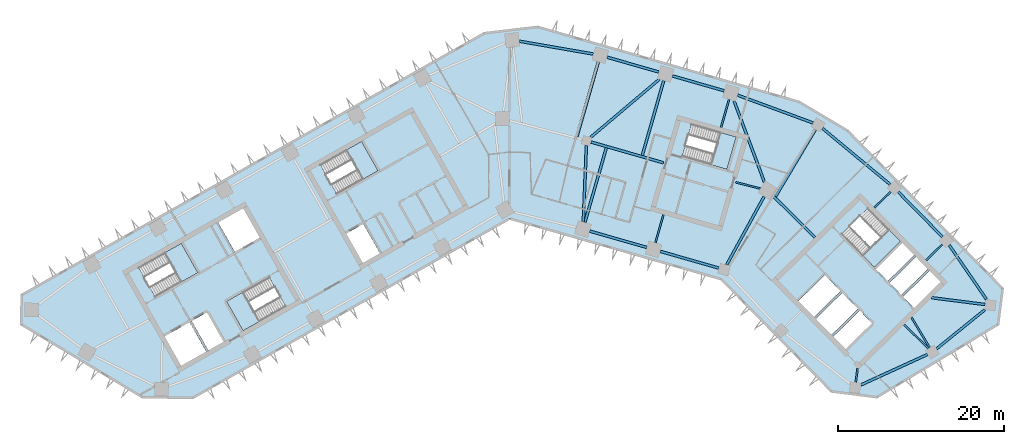
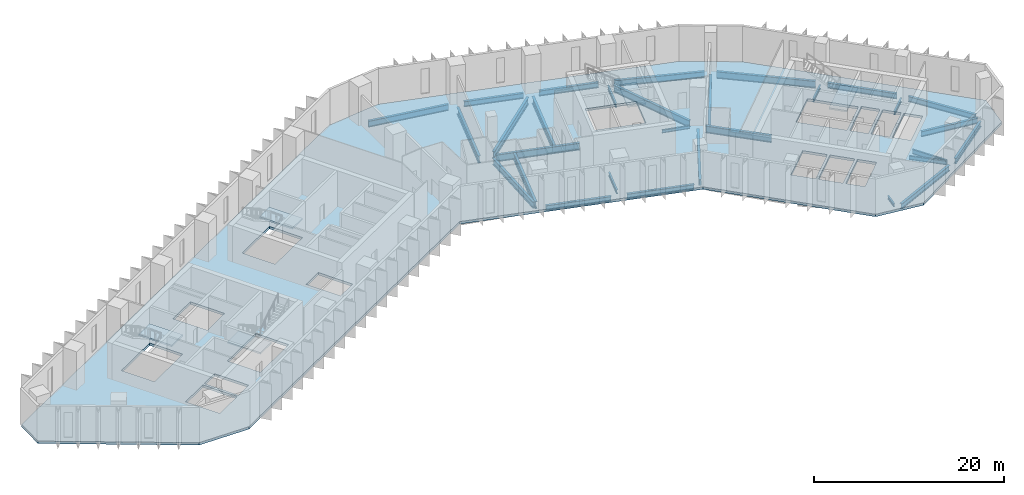
# One storey, part 2 of 11: 30 beams, 6 slabs, 5 elements without a shape of their own.
"""IFC4 building model written with IfcOpenShell, lengths in metres."""

from ifc_helpers import new_model, si_unit, direction, frame, origin, origin_2d, place, context, subcontext, project, spatial, polyline, i_section, outline, extrude, material, layer, layer_set, material_profile, profile_set, type_object, element, aggregate, save


model = new_model("IFC4")

# Units and contexts
model_context = context("Model", 3, precision=1e-05, world=origin(), true_north=direction((0.0, 1.0)))
body_context = subcontext(model_context, "Body", "Model", "MODEL_VIEW")
ifc_project = project(units=[si_unit("LENGTHUNIT", "METRE"), si_unit("AREAUNIT", "SQUARE_METRE"), si_unit("VOLUMEUNIT", "CUBIC_METRE"), si_unit("PLANEANGLEUNIT", "RADIAN"), si_unit("MASSUNIT", "GRAM", prefix="KILO")], contexts=[model_context])

# Site, building, storey
site_placement = place(None, origin())
site = spatial("IfcSite", under=ifc_project, at=site_placement, CompositionType="ELEMENT")
building_placement = place(site_placement, origin())
building = spatial("IfcBuilding", under=site, at=building_placement, Name="Binnacle Exchange Tower", CompositionType="ELEMENT")
storey_placement = place(building_placement, frame((0.0, 0.0, 86.5)))
storey = spatial("IfcBuildingStorey", under=building, at=storey_placement, Name="L17", CompositionType="ELEMENT", Elevation=86.5)

# Beams
ifc_material_1 = material(Name="Steel S355 (SHN355)", Category="steel")
ifc_material_profile_1 = material_profile(ifc_material_1, i_section(OverallWidth=0.300048828125, OverallDepth=0.699951171875, WebThickness=0.012939453125, FlangeThickness=0.02392578125, FilletRadius=0.028076171875, at=origin_2d()), Name="H 700x300x13x24")
ifc_profile_set_1 = profile_set([ifc_material_profile_1], Name="Steel S355 (SHN355)")
beam_type_1 = type_object("IfcBeamType", Name="Edge girder H 700x300x13x24 Steel S355 (SHN355)", PredefinedType="SPANDREL", material=ifc_profile_set_1)
beam_1_placement = place(storey_placement, frame((9.626708984375, 46.488037109375, -0.669921875), z_axis=(0.961260850036, -0.275640305812, 0.0), x_axis=(0.275640305812, 0.961260850036, 0.0)))
element("IfcBeam", 1, at=beam_1_placement, inside=storey, type_object=beam_type_1, Name="S:BM:edge:L17:030", PredefinedType="SPANDREL", context=body_context, shape_type="SweptSolid", body=[
    extrude(i_section(OverallWidth=0.300048828125, OverallDepth=0.699951171875, WebThickness=0.012939453125, FlangeThickness=0.02392578125, FilletRadius=0.028076171875, at=origin_2d()), origin(), (0.0, 0.0, 1.0), 7.120361328125),
])
beam_2_placement = place(storey_placement, frame((17.92919921875, 65.610595703125, -0.669921875), z_axis=(-0.961261624999, 0.275637603213, 0.0), x_axis=(-0.275637603213, -0.961261624999, 0.0)))
element("IfcBeam", 2, at=beam_2_placement, inside=storey, type_object=beam_type_1, Name="S:BM:edge:L17:032", PredefinedType="SPANDREL", context=body_context, shape_type="SweptSolid", body=[
    extrude(i_section(OverallWidth=0.300048828125, OverallDepth=0.699951171875, WebThickness=0.012939453125, FlangeThickness=0.02392578125, FilletRadius=0.028076171875, at=origin_2d()), origin(), (0.0, 0.0, 1.0), 6.472900390625),
])
beam_3_placement = place(storey_placement, frame((18.105224609375, 44.056884765625, -0.669921875), z_axis=(0.96126047873, -0.275641600691, 0.0), x_axis=(0.275641600691, 0.96126047873, 0.0)))
element("IfcBeam", 3, at=beam_3_placement, inside=storey, type_object=beam_type_1, Name="S:BM:edge:L17:033", PredefinedType="SPANDREL", context=body_context, shape_type="SweptSolid", body=[
    extrude(i_section(OverallWidth=0.300048828125, OverallDepth=0.699951171875, WebThickness=0.012939453125, FlangeThickness=0.02392578125, FilletRadius=0.028076171875, at=origin_2d()), origin(), (0.0, 0.0, 1.0), 7.320556640625),
])
beam_4_placement = place(storey_placement, frame((25.78564453125, 63.35791015625, -0.669921875), z_axis=(-0.961271618025, 0.275602751036, 0.0), x_axis=(-0.275602751036, -0.961271618025, 0.0)))
element("IfcBeam", 4, at=beam_4_placement, inside=storey, type_object=beam_type_1, Name="S:BM:edge:L17:034", PredefinedType="SPANDREL", context=body_context, shape_type="SweptSolid", body=[
    extrude(i_section(OverallWidth=0.300048828125, OverallDepth=0.699951171875, WebThickness=0.012939453125, FlangeThickness=0.02392578125, FilletRadius=0.028076171875, at=origin_2d()), origin(), (0.0, 0.0, 1.0), 6.472900390625),
])
beam_5_placement = place(storey_placement, frame((51.322265625, 32.343505859375, -0.669921875), z_axis=(0.777568489665, 0.628798253719, 0.0), x_axis=(-0.628798253719, 0.777568489665, 0.0)))
element("IfcBeam", 5, at=beam_5_placement, inside=storey, type_object=beam_type_1, Name="S:BM:edge:L17:040", PredefinedType="SPANDREL", context=body_context, shape_type="SweptSolid", body=[
    extrude(i_section(OverallWidth=0.300048828125, OverallDepth=0.699951171875, WebThickness=0.012939453125, FlangeThickness=0.02392578125, FilletRadius=0.028076171875, at=origin_2d()), origin(), (0.0, 0.0, 1.0), 7.428955078125),
])
beam_6_placement = place(storey_placement, frame((52.010986328125, 45.802978515625, -0.669921875), z_axis=(-0.700905226564, 0.713254417004, 0.0), x_axis=(-0.713254417004, -0.700905226564, 0.0)))
element("IfcBeam", 6, at=beam_6_placement, inside=storey, type_object=beam_type_1, Name="S:BM:edge:L17:041", PredefinedType="SPANDREL", context=body_context, shape_type="SweptSolid", body=[
    extrude(i_section(OverallWidth=0.300048828125, OverallDepth=0.699951171875, WebThickness=0.012939453125, FlangeThickness=0.02392578125, FilletRadius=0.028076171875, at=origin_2d()), origin(), (0.0, 0.0, 1.0), 7.57177734375),
])
beam_7_placement = place(storey_placement, frame((57.305419921875, 38.299072265625, -0.669921875), z_axis=(-0.566409202341, 0.82412415054, 0.0), x_axis=(-0.82412415054, -0.566409202341, 0.0)))
element("IfcBeam", 7, at=beam_7_placement, inside=storey, type_object=beam_type_1, Name="S:BM:edge:L17:042", PredefinedType="SPANDREL", context=body_context, shape_type="SweptSolid", body=[
    extrude(i_section(OverallWidth=0.300048828125, OverallDepth=0.699951171875, WebThickness=0.012939453125, FlangeThickness=0.02392578125, FilletRadius=0.028076171875, at=origin_2d()), origin(), (0.0, 0.0, 1.0), 7.8828125),
])
ifc_material_profile_2 = material_profile(ifc_material_1, i_section(OverallWidth=0.302001953125, OverallDepth=0.7080078125, WebThickness=0.014892578125, FlangeThickness=0.028076171875, FilletRadius=0.028076171875, at=origin_2d()), Name="H 708x302x15x28")
ifc_profile_set_2 = profile_set([ifc_material_profile_2], Name="Steel S355 (SHN355)")
beam_type_2 = type_object("IfcBeamType", Name="Edge girder H 708x302x15x28 Steel S355 (SHN355)", PredefinedType="SPANDREL", material=ifc_profile_set_2)
beam_8_placement = place(storey_placement, frame((42.215576171875, 27.99365234375, -0.674072265625), z_axis=(0.909179052108, 0.416405392866, 0.0), x_axis=(-0.416405392866, 0.909179052108, 0.0)))
element("IfcBeam", 8, at=beam_8_placement, inside=storey, type_object=beam_type_2, Name="S:BM:edge:L17:038", PredefinedType="SPANDREL", context=body_context, shape_type="SweptSolid", body=[
    extrude(i_section(OverallWidth=0.302001953125, OverallDepth=0.7080078125, WebThickness=0.014892578125, FlangeThickness=0.028076171875, FilletRadius=0.028076171875, at=origin_2d()), origin(), (0.0, 0.0, 1.0), 8.801025390625),
])
ifc_material_profile_3 = material_profile(ifc_material_1, i_section(OverallWidth=0.300048828125, OverallDepth=0.800048828125, WebThickness=0.013916015625, FlangeThickness=0.02587890625, FilletRadius=0.028076171875, at=origin_2d()), Name="H 800x300x14x26")
ifc_profile_set_3 = profile_set([ifc_material_profile_3], Name="Steel S355 (SHN355)")
beam_type_3 = type_object("IfcBeamType", Name="Edge girder H 800x300x14x26 Steel S355 (SHN355)", PredefinedType="SPANDREL", material=ifc_profile_set_3)
beam_9_placement = place(storey_placement, frame((10.047607421875, 67.77490234375, -0.719970703125), z_axis=(-0.985312460293, 0.17076110679, 0.0), x_axis=(-0.17076110679, -0.985312460293, 0.0)))
element("IfcBeam", 9, at=beam_9_placement, inside=storey, type_object=beam_type_3, Name="S:BM:edge:L17:031", PredefinedType="SPANDREL", context=body_context, shape_type="SweptSolid", body=[
    extrude(i_section(OverallWidth=0.300048828125, OverallDepth=0.800048828125, WebThickness=0.013916015625, FlangeThickness=0.02587890625, FilletRadius=0.028076171875, at=origin_2d()), origin(), (0.0, 0.0, 1.0), 9.005859375),
])
ifc_material_profile_4 = material_profile(ifc_material_1, i_section(OverallWidth=0.302001953125, OverallDepth=0.80810546875, WebThickness=0.01611328125, FlangeThickness=0.030029296875, FilletRadius=0.028076171875, at=origin_2d()), Name="H 808x302x16x30")
ifc_profile_set_4 = profile_set([ifc_material_profile_4], Name="Steel S355 (SHN355)")
beam_type_4 = type_object("IfcBeamType", Name="Edge girder H 808x302x16x30 Steel S355 (SHN355)", PredefinedType="SPANDREL", material=ifc_profile_set_4)
beam_10_placement = place(storey_placement, frame((36.464599609375, 59.490966796875, -0.72412109375), z_axis=(-0.938368148393, 0.345637408395, 0.0), x_axis=(-0.345637408395, -0.938368148393, 0.0)))
element("IfcBeam", 10, at=beam_10_placement, inside=storey, type_object=beam_type_4, Name="S:BM:edge:L17:037", PredefinedType="SPANDREL", context=body_context, shape_type="SweptSolid", body=[
    extrude(i_section(OverallWidth=0.302001953125, OverallDepth=0.80810546875, WebThickness=0.01611328125, FlangeThickness=0.030029296875, FilletRadius=0.028076171875, at=origin_2d()), origin(), (0.0, 0.0, 1.0), 9.6572265625),
])
ifc_material_profile_5 = material_profile(ifc_material_1, i_section(OverallWidth=0.300048828125, OverallDepth=0.89990234375, WebThickness=0.01611328125, FlangeThickness=0.028076171875, FilletRadius=0.028076171875, at=origin_2d()), Name="H 900x300x16x28")
ifc_profile_set_5 = profile_set([ifc_material_profile_5], Name="Steel S355 (SHN355)")
beam_type_5 = type_object("IfcBeamType", Name="Edge girder H 900x300x16x28 Steel S355 (SHN355)", PredefinedType="SPANDREL", material=ifc_profile_set_5)
beam_11_placement = place(storey_placement, frame((45.7451171875, 52.084228515625, -0.77001953125), z_axis=(-0.769906025895, 0.638157277864, 0.0), x_axis=(-0.638157277864, -0.769906025895, 0.0)))
element("IfcBeam", 11, at=beam_11_placement, inside=storey, type_object=beam_type_5, Name="S:BM:edge:L17:039", PredefinedType="SPANDREL", context=body_context, shape_type="SweptSolid", body=[
    extrude(i_section(OverallWidth=0.300048828125, OverallDepth=0.89990234375, WebThickness=0.01611328125, FlangeThickness=0.028076171875, FilletRadius=0.028076171875, at=origin_2d()), origin(), (0.0, 0.0, 1.0), 10.59033203125),
])
ifc_material_profile_6 = material_profile(ifc_material_1, i_section(OverallWidth=0.199951171875, OverallDepth=0.39990234375, WebThickness=0.008056640625, FlangeThickness=0.012939453125, FilletRadius=0.01611328125, at=origin_2d()), Name="H 400x200x8x13")
ifc_profile_set_6 = profile_set([ifc_material_profile_6], Name="Steel S355 (SHN355)")
beam_type_6 = type_object("IfcBeamType", Name="Floor beam H 400x200x8x13 Steel S355 (SHN355)", PredefinedType="BEAM", material=ifc_profile_set_6)
beam_12_placement = place(storey_placement, frame((41.601806640625, 28.319580078125, -0.52001953125), z_axis=(0.126197116971, 0.992005185303, 0.0), x_axis=(-0.992005185303, 0.126197116971, 0.0)))
element("IfcBeam", 12, at=beam_12_placement, inside=storey, type_object=beam_type_6, Name="S:BM:cross:L17:063", PredefinedType="BEAM", context=body_context, shape_type="SweptSolid", body=[
    extrude(i_section(OverallWidth=0.199951171875, OverallDepth=0.39990234375, WebThickness=0.008056640625, FlangeThickness=0.012939453125, FilletRadius=0.01611328125, at=origin_2d()), origin(), (0.0, 0.0, 1.0), 1.68115234375),
])
ifc_material_profile_7 = material_profile(ifc_material_1, i_section(OverallWidth=0.199951171875, OverallDepth=0.449951171875, WebThickness=0.009033203125, FlangeThickness=0.013916015625, FilletRadius=0.01806640625, at=origin_2d()), Name="H 450x200x9x14")
ifc_profile_set_7 = profile_set([ifc_material_profile_7], Name="Steel S355 (SHN355)")
beam_type_7 = type_object("IfcBeamType", Name="Floor beam H 450x200x9x14 Steel S355 (SHN355)", PredefinedType="BEAM", material=ifc_profile_set_7)
for number, where, z_axis, x_axis, name in (
    (13, (45.78466796875, 51.211669921875, -0.544921875), (-0.713299272232, -0.700859578113, 0.0), (0.700859578113, -0.713299272232, 0.0), "S:BM:cross:L17:064"),
    (14, (52.003173828125, 44.8837890625, -0.544921875), (-0.713254209224, -0.700905438004, 0.0), (0.700905438004, -0.713254209224, 0.0), "S:BM:cross:L17:066"),
):
    element("IfcBeam", number, at=place(storey_placement, frame(where, z_axis=z_axis, x_axis=x_axis)), inside=storey, type_object=beam_type_7, Name=name, PredefinedType="BEAM", context=body_context, shape_type="SweptSolid", body=[
        extrude(i_section(OverallWidth=0.199951171875, OverallDepth=0.449951171875, WebThickness=0.009033203125, FlangeThickness=0.013916015625, FilletRadius=0.01806640625, at=origin_2d()), origin(), (0.0, 0.0, 1.0), 2.70849609375),
    ])
ifc_material_profile_8 = material_profile(ifc_material_1, i_section(OverallWidth=0.200927734375, OverallDepth=0.506103515625, WebThickness=0.010986328125, FlangeThickness=0.01904296875, FilletRadius=0.02001953125, at=origin_2d()), Name="H 506x201x11x19")
ifc_profile_set_8 = profile_set([ifc_material_profile_8], Name="Steel S355 (SHN355)")
beam_type_8 = type_object("IfcBeamType", Name="Floor beam H 506x201x11x19 Steel S355 (SHN355)", PredefinedType="BEAM", material=ifc_profile_set_8)
for number, where, z_axis, x_axis, name in (
    (15, (17.5224609375, 45.108154296875, -0.572998046875), (0.275655468279, 0.961256502089, 0.0), (-0.961256502089, 0.275655468279, 0.0), "S:BM:cross:L17:058"),
    (16, (26.368408203125, 62.306396484375, -0.572998046875), (-0.275655468279, -0.961256502089, 0.0), (0.961256502089, -0.275655468279, 0.0), "S:BM:cross:L17:060"),
):
    element("IfcBeam", number, at=place(storey_placement, frame(where, z_axis=z_axis, x_axis=x_axis)), inside=storey, type_object=beam_type_8, Name=name, PredefinedType="BEAM", context=body_context, shape_type="SweptSolid", body=[
        extrude(i_section(OverallWidth=0.200927734375, OverallDepth=0.506103515625, WebThickness=0.010986328125, FlangeThickness=0.01904296875, FilletRadius=0.02001953125, at=origin_2d()), origin(), (0.0, 0.0, 1.0), 3.485107421875),
    ])
ifc_material_profile_9 = material_profile(ifc_material_1, i_section(OverallWidth=0.199951171875, OverallDepth=0.60009765625, WebThickness=0.010986328125, FlangeThickness=0.01708984375, FilletRadius=0.02197265625, at=origin_2d()), Name="H 600x200x11x17")
ifc_profile_set_9 = profile_set([ifc_material_profile_9], Name="Steel S355 (SHN355)")
beam_type_9 = type_object("IfcBeamType", Name="Floor beam H 600x200x11x17 Steel S355 (SHN355)", PredefinedType="BEAM", material=ifc_profile_set_9)
beam_13_placement = place(storey_placement, frame((50.477294921875, 32.488037109375, -0.6201171875), z_axis=(-0.515057466438, 0.857155648798, 0.0), x_axis=(-0.857155648798, -0.515057466438, 0.0)))
element("IfcBeam", 17, at=beam_13_placement, inside=storey, type_object=beam_type_9, Name="S:BM:cross:L17:065", PredefinedType="BEAM", context=body_context, shape_type="SweptSolid", body=[
    extrude(i_section(OverallWidth=0.199951171875, OverallDepth=0.60009765625, WebThickness=0.010986328125, FlangeThickness=0.01708984375, FilletRadius=0.02197265625, at=origin_2d()), origin(), (0.0, 0.0, 1.0), 4.2177734375),
])
ifc_material_profile_10 = material_profile(ifc_material_1, i_section(OverallWidth=0.300048828125, OverallDepth=0.699951171875, WebThickness=0.012939453125, FlangeThickness=0.02392578125, FilletRadius=0.028076171875, at=origin_2d()), Name="H 700x300x13x24")
ifc_profile_set_10 = profile_set([ifc_material_profile_10], Name="Steel S355 (SHN355)")
beam_type_10 = type_object("IfcBeamType", Name="Floor beam H 700x300x13x24 Steel S355 (SHN355)", PredefinedType="BEAM", material=ifc_profile_set_10)
beam_14_placement = place(storey_placement, frame((57.154296875, 37.6630859375, -0.669921875), z_axis=(-0.992006658356, 0.126185537116, 0.0), x_axis=(-0.126185537116, -0.992006658356, 0.0)))
element("IfcBeam", 18, at=beam_14_placement, inside=storey, type_object=beam_type_10, Name="S:BM:cross:L17:067", PredefinedType="BEAM", context=body_context, shape_type="SweptSolid", body=[
    extrude(i_section(OverallWidth=0.300048828125, OverallDepth=0.699951171875, WebThickness=0.012939453125, FlangeThickness=0.02392578125, FilletRadius=0.028076171875, at=origin_2d()), origin(), (0.0, 0.0, 1.0), 6.4814453125),
])
ifc_material_profile_11 = material_profile(ifc_material_1, i_section(OverallWidth=0.302978515625, OverallDepth=0.91796875, WebThickness=0.01904296875, FlangeThickness=0.037109375, FilletRadius=0.028076171875, at=origin_2d()), Name="H 918x303x19x37")
ifc_profile_set_11 = profile_set([ifc_material_profile_11], Name="Steel S355 (SHN355)")
beam_type_11 = type_object("IfcBeamType", Name="Floor beam H 918x303x19x37 Steel S355 (SHN355)", PredefinedType="BEAM", material=ifc_profile_set_11)
beam_15_placement = place(storey_placement, frame((9.043701171875, 47.539306640625, -0.779052734375), z_axis=(0.275646698205, 0.961259017003, 0.0), x_axis=(-0.961259017003, 0.275646698205, 0.0)))
element("IfcBeam", 19, at=beam_15_placement, inside=storey, type_object=beam_type_11, Name="S:BM:cross:L17:056", PredefinedType="BEAM", context=body_context, shape_type="SweptSolid", body=[
    extrude(i_section(OverallWidth=0.302978515625, OverallDepth=0.91796875, WebThickness=0.01904296875, FlangeThickness=0.037109375, FilletRadius=0.028076171875, at=origin_2d()), origin(), (0.0, 0.0, 1.0), 9.335205078125),
])
beam_16_placement = place(storey_placement, frame((10.65576171875, 66.81201171875, -0.779052734375), z_axis=(-0.275626703457, -0.961264750389, 0.0), x_axis=(0.961264750389, -0.275626703457, 0.0)))
element("IfcBeam", 20, at=beam_16_placement, inside=storey, type_object=beam_type_11, Name="S:BM:cross:L17:057", PredefinedType="BEAM", context=body_context, shape_type="SweptSolid", body=[
    extrude(i_section(OverallWidth=0.302978515625, OverallDepth=0.91796875, WebThickness=0.01904296875, FlangeThickness=0.037109375, FilletRadius=0.028076171875, at=origin_2d()), origin(), (0.0, 0.0, 1.0), 9.363525390625),
])
beam_17_placement = place(storey_placement, frame((18.511962890625, 64.55908203125, -0.779052734375), z_axis=(-0.275629461812, -0.961263959473, 0.0), x_axis=(0.961263959473, -0.275629461812, 0.0)))
element("IfcBeam", 21, at=beam_17_placement, inside=storey, type_object=beam_type_11, Name="S:BM:cross:L17:059", PredefinedType="BEAM", context=body_context, shape_type="SweptSolid", body=[
    extrude(i_section(OverallWidth=0.302978515625, OverallDepth=0.91796875, WebThickness=0.01904296875, FlangeThickness=0.037109375, FilletRadius=0.028076171875, at=origin_2d()), origin(), (0.0, 0.0, 1.0), 9.3349609375),
])
beam_18_placement = place(storey_placement, frame((36.752685546875, 58.703857421875, -0.779052734375), z_axis=(-0.511298188751, -0.859403375709, 0.0), x_axis=(0.859403375709, -0.511298188751, 0.0)))
element("IfcBeam", 22, at=beam_18_placement, inside=storey, type_object=beam_type_11, Name="S:BM:cross:L17:062", PredefinedType="BEAM", context=body_context, shape_type="SweptSolid", body=[
    extrude(i_section(OverallWidth=0.302978515625, OverallDepth=0.91796875, WebThickness=0.01904296875, FlangeThickness=0.037109375, FilletRadius=0.028076171875, at=origin_2d()), origin(), (0.0, 0.0, 1.0), 9.385986328125),
])
ifc_material_profile_12 = material_profile(ifc_material_1, i_section(OverallWidth=0.199951171875, OverallDepth=0.39990234375, WebThickness=0.008056640625, FlangeThickness=0.012939453125, FilletRadius=0.01611328125, at=origin_2d()), Name="H 400x200x8x13")
ifc_profile_set_12 = profile_set([ifc_material_profile_12], Name="Steel S355 (SHN355)")
beam_type_12 = type_object("IfcBeamType", Name="Spine girder H 400x200x8x13 Steel S355 (SHN355)", PredefinedType="BEAM", material=ifc_profile_set_12)
beam_19_placement = place(storey_placement, frame((27.17138671875, 52.35400390625, -0.52001953125), z_axis=(0.969359627701, -0.245645908136, 0.0), x_axis=(0.245645908136, 0.969359627701, 0.0)))
element("IfcBeam", 23, at=beam_19_placement, inside=storey, type_object=beam_type_12, Name="S:BM:spine:L17:010", PredefinedType="BEAM", context=body_context, shape_type="SweptSolid", body=[
    extrude(i_section(OverallWidth=0.199951171875, OverallDepth=0.39990234375, WebThickness=0.008056640625, FlangeThickness=0.012939453125, FilletRadius=0.01611328125, at=origin_2d()), origin(), (0.0, 0.0, 1.0), 3.046142578125),
])
ifc_material_profile_13 = material_profile(ifc_material_1, i_section(OverallWidth=0.200927734375, OverallDepth=0.506103515625, WebThickness=0.010986328125, FlangeThickness=0.01904296875, FilletRadius=0.02001953125, at=origin_2d()), Name="H 506x201x11x19")
ifc_profile_set_13 = profile_set([ifc_material_profile_13], Name="Steel S355 (SHN355)")
beam_type_13 = type_object("IfcBeamType", Name="Spine girder H 506x201x11x19 Steel S355 (SHN355)", PredefinedType="BEAM", material=ifc_profile_set_13)
beam_20_placement = place(storey_placement, frame((47.417236328125, 35.23095703125, -0.572998046875), z_axis=(0.717013275689, -0.697059511437, 0.0), x_axis=(0.697059511437, 0.717013275689, 0.0)))
element("IfcBeam", 24, at=beam_20_placement, inside=storey, type_object=beam_type_13, Name="S:BM:spine:L17:014", PredefinedType="BEAM", context=body_context, shape_type="SweptSolid", body=[
    extrude(i_section(OverallWidth=0.200927734375, OverallDepth=0.506103515625, WebThickness=0.010986328125, FlangeThickness=0.01904296875, FilletRadius=0.02001953125, at=origin_2d()), origin(), (0.0, 0.0, 1.0), 4.06201171875),
])
ifc_material_profile_14 = material_profile(ifc_material_1, i_section(OverallWidth=0.302001953125, OverallDepth=0.80810546875, WebThickness=0.01611328125, FlangeThickness=0.030029296875, FilletRadius=0.028076171875, at=origin_2d()), Name="H 808x302x16x30")
ifc_profile_set_14 = profile_set([ifc_material_profile_14], Name="Steel S355 (SHN355)")
beam_type_14 = type_object("IfcBeamType", Name="Spine girder H 808x302x16x30 Steel S355 (SHN355)", PredefinedType="BEAM", material=ifc_profile_set_14)
beam_21_placement = place(storey_placement, frame((9.218017578125, 56.78466796875, -0.72412109375), z_axis=(-0.040567083206, -0.999176817065, 0.0), x_axis=(0.999176817065, -0.040567083206, 0.0)))
element("IfcBeam", 25, at=beam_21_placement, inside=storey, type_object=beam_type_14, Name="S:BM:spine:L17:007", PredefinedType="BEAM", context=body_context, shape_type="SweptSolid", body=[
    extrude(i_section(OverallWidth=0.302001953125, OverallDepth=0.80810546875, WebThickness=0.01611328125, FlangeThickness=0.030029296875, FilletRadius=0.028076171875, at=origin_2d()), origin(), (0.0, 0.0, 1.0), 9.19580078125),
])
beam_22_placement = place(storey_placement, frame((30.580078125, 50.6396484375, -0.72412109375), z_axis=(-0.480716000085, -0.87687634662, 0.0), x_axis=(0.87687634662, -0.480716000085, 0.0)))
element("IfcBeam", 26, at=beam_22_placement, inside=storey, type_object=beam_type_14, Name="S:BM:spine:L17:011", PredefinedType="BEAM", context=body_context, shape_type="SweptSolid", body=[
    extrude(i_section(OverallWidth=0.302001953125, OverallDepth=0.80810546875, WebThickness=0.01611328125, FlangeThickness=0.030029296875, FilletRadius=0.028076171875, at=origin_2d()), origin(), (0.0, 0.0, 1.0), 9.34619140625),
])
ifc_material_profile_15 = material_profile(ifc_material_1, i_section(OverallWidth=0.302001953125, OverallDepth=0.912109375, WebThickness=0.01806640625, FlangeThickness=0.033935546875, FilletRadius=0.028076171875, at=origin_2d()), Name="H 912x302x18x34")
ifc_profile_set_15 = profile_set([ifc_material_profile_15], Name="Steel S355 (SHN355)")
beam_type_15 = type_object("IfcBeamType", Name="Spine girder H 912x302x18x34 Steel S355 (SHN355)", PredefinedType="BEAM", material=ifc_profile_set_15)
beam_23_placement = place(storey_placement, frame((9.74658203125, 57.77734375, -0.77587890625), z_axis=(0.764072930463, 0.64512987602, 0.0), x_axis=(-0.64512987602, 0.764072930463, 0.0)))
element("IfcBeam", 27, at=beam_23_placement, inside=storey, type_object=beam_type_15, Name="S:BM:spine:L17:008", PredefinedType="BEAM", context=body_context, shape_type="SweptSolid", body=[
    extrude(i_section(OverallWidth=0.302001953125, OverallDepth=0.912109375, WebThickness=0.01806640625, FlangeThickness=0.033935546875, FilletRadius=0.028076171875, at=origin_2d()), origin(), (0.0, 0.0, 1.0), 10.755615234375),
])
beam_24_placement = place(storey_placement, frame((30.614501953125, 52.389892578125, -0.77587890625), z_axis=(-0.350104624168, 0.936710602126, 0.0), x_axis=(-0.936710602126, -0.350104624168, 0.0)))
element("IfcBeam", 28, at=beam_24_placement, inside=storey, type_object=beam_type_15, Name="S:BM:spine:L17:012", PredefinedType="BEAM", context=body_context, shape_type="SweptSolid", body=[
    extrude(i_section(OverallWidth=0.302001953125, OverallDepth=0.912109375, WebThickness=0.01806640625, FlangeThickness=0.033935546875, FilletRadius=0.028076171875, at=origin_2d()), origin(), (0.0, 0.0, 1.0), 10.4013671875),
])
ifc_material_profile_16 = material_profile(ifc_material_1, i_section(OverallWidth=0.302978515625, OverallDepth=0.91796875, WebThickness=0.01904296875, FlangeThickness=0.037109375, FilletRadius=0.028076171875, at=origin_2d()), Name="H 918x303x19x37")
ifc_profile_set_16 = profile_set([ifc_material_profile_16], Name="Steel S355 (SHN355)")
beam_type_16 = type_object("IfcBeamType", Name="Spine girder H 918x303x19x37 Steel S355 (SHN355)", PredefinedType="BEAM", material=ifc_profile_set_16)
beam_25_placement = place(storey_placement, frame((9.76953125, 57.198486328125, -0.779052734375), z_axis=(0.961265329417, -0.275624684057, 0.0), x_axis=(0.275624684057, 0.961265329417, 0.0)))
element("IfcBeam", 29, at=beam_25_placement, inside=storey, type_object=beam_type_16, Name="S:BM:spine:L17:009", PredefinedType="BEAM", context=body_context, shape_type="SweptSolid", body=[
    extrude(i_section(OverallWidth=0.302978515625, OverallDepth=0.91796875, WebThickness=0.01904296875, FlangeThickness=0.037109375, FilletRadius=0.028076171875, at=origin_2d()), origin(), (0.0, 0.0, 1.0), 9.063232421875),
])
beam_26_placement = place(storey_placement, frame((31.60888671875, 50.773681640625, -0.779052734375), z_axis=(0.711013452478, -0.703178405809, 0.0), x_axis=(0.703178405809, 0.711013452478, 0.0)))
element("IfcBeam", 30, at=beam_26_placement, inside=storey, type_object=beam_type_16, Name="S:BM:spine:L17:013", PredefinedType="BEAM", context=body_context, shape_type="SweptSolid", body=[
    extrude(i_section(OverallWidth=0.302978515625, OverallDepth=0.91796875, WebThickness=0.01904296875, FlangeThickness=0.037109375, FilletRadius=0.028076171875, at=origin_2d()), origin(), (0.0, 0.0, 1.0), 7.166748046875),
])

# Slab
ifc_material_2 = material(Name="Concrete C35/45", Category="concrete")
ifc_layer_1 = layer(ifc_material_2, 0.320068359375)
ifc_layer_set_1 = layer_set([ifc_layer_1], Name="Floor slab 320 Concrete C35/45")
slab_type_1 = type_object("IfcSlabType", Name="Floor slab 320 Concrete C35/45", PredefinedType="FLOOR", material=ifc_layer_set_1)
slab_1_placement = place(storey_placement, frame((0.0, 0.0, -0.320068359375)))
element("IfcSlab", 31, at=slab_1_placement, inside=storey, type_object=slab_type_1, Name="S:SL:L17:01", PredefinedType="FLOOR", context=body_context, shape_type="SweptSolid", body=[
    extrude(outline(polyline([(59.262939453125, 39.5791015625), (58.716064453125, 35.280029296875), (44.14404296875, 26.5244140625), (38.69091796875, 27.21826171875), (25.43603515625, 40.706298828125), (0.0, 48.0), (-38.097900390625, 26.4453125), (-44.14404296875, 26.5244140625), (-58.716064453125, 35.280029296875), (-58.669921875, 38.80615234375), (-3.046142578125, 70.276611328125), (3.364501953125, 71.035400390625), (34.789794921875, 62.024169921875), (40.607421875, 58.56298828125), (59.262939453125, 39.5791015625)]), holes=[polyline([(-38.4794921875, 35.529296875), (-41.61279296875, 33.756591796875), (-39.544677734375, 30.10107421875), (-36.411376953125, 31.873779296875), (-38.4794921875, 35.529296875)]), polyline([(-34.322509765625, 33.0556640625), (-36.390625, 36.711181640625), (-38.21826171875, 35.677001953125), (-36.150146484375, 32.021484375), (-34.322509765625, 33.0556640625)]), polyline([(-34.040771484375, 38.04052734375), (-32.04638671875, 34.515625), (-26.9287109375, 37.4111328125), (-28.923095703125, 40.93603515625), (-34.040771484375, 38.04052734375)]), polyline([(-37.486572265625, 41.4912109375), (-39.480712890625, 45.01611328125), (-44.598388671875, 42.12060546875), (-42.604248046875, 38.595703125), (-37.486572265625, 41.4912109375)]), polyline([(-15.53076171875, 43.6875), (-17.598876953125, 47.343017578125), (-19.77490234375, 46.11181640625), (-17.70654296875, 42.456298828125), (-15.53076171875, 43.6875)]), polyline([(-29.914306640625, 45.775390625), (-31.982666015625, 49.430908203125), (-35.115966796875, 47.657958984375), (-33.047607421875, 44.00244140625), (-29.914306640625, 45.775390625)]), polyline([(-15.822509765625, 53.748046875), (-17.81689453125, 57.27294921875), (-22.760498046875, 54.47607421875), (-20.76611328125, 50.950927734375), (-15.822509765625, 53.748046875)]), polyline([(26.111328125, 53.9169921875), (27.227783203125, 57.810302734375), (21.864013671875, 59.348388671875), (20.74755859375, 55.455078125), (26.111328125, 53.9169921875)]), polyline([(40.268798828125, 32.201904296875), (43.549560546875, 35.426025390625), (42.07763671875, 36.923828125), (38.796875, 33.69970703125), (40.268798828125, 32.201904296875)]), polyline([(38.58642578125, 33.913818359375), (41.867431640625, 37.137939453125), (39.97509765625, 39.063720703125), (36.694091796875, 35.83935546875), (38.58642578125, 33.913818359375)]), polyline([(36.48388671875, 36.053466796875), (39.7646484375, 39.277587890625), (37.872314453125, 41.203369140625), (34.59130859375, 37.979248046875), (36.48388671875, 36.053466796875)]), polyline([(48.726806640625, 37.148681640625), (52.0078125, 40.372802734375), (50.577880859375, 41.827880859375), (47.296875, 38.603759765625), (48.726806640625, 37.148681640625)]), polyline([(47.086669921875, 38.817626953125), (50.36767578125, 42.0419921875), (48.944580078125, 43.48974609375), (45.663818359375, 40.265625), (47.086669921875, 38.817626953125)]), polyline([(45.45361328125, 40.4794921875), (48.734375, 43.703857421875), (47.3115234375, 45.151611328125), (44.030517578125, 41.927490234375), (45.45361328125, 40.4794921875)]), polyline([(43.8203125, 42.141357421875), (46.994384765625, 45.260498046875), (43.083251953125, 49.240478515625), (39.9091796875, 46.121337890625), (43.8203125, 42.141357421875)])]), origin(), (0.0, 0.0, 1.0), 0.320068359375),
])

# Stair, slab
stair_type = type_object("IfcStairType", Name="STAIR 28 RISERS 179", PredefinedType="HALF_TURN_STAIR", material=ifc_material_2)
stair_1_placement = place(storey_placement, origin())
stair_1 = element("IfcStair", 32, at=stair_1_placement, inside=storey, type_object=stair_type, Name="L17 Escape stair A1", PredefinedType="HALF_TURN_STAIR")
ifc_layer_2 = layer(ifc_material_2, 0.199951171875)
ifc_layer_set_2 = layer_set([ifc_layer_2], Name="STAIR LANDING 200")
slab_type_2 = type_object("IfcSlabType", Name="STAIR LANDING 200", PredefinedType="LANDING", material=ifc_layer_set_2)
slab_2_placement = place(storey_placement, frame((0.0, 0.0, 2.300048828125)))
slab_2 = element("IfcSlab", 33, at=slab_2_placement, type_object=slab_type_2, Name="STA1 landing 1", PredefinedType="LANDING", context=body_context, shape_type="SweptSolid", body=[
    extrude(outline(polyline([(-39.470947265625, 40.368408203125), (-37.486572265625, 41.4912109375), (-39.48095703125, 45.01611328125), (-41.46533203125, 43.893310546875), (-39.470947265625, 40.368408203125)])), origin(), (0.0, 0.0, 1.0), 0.199951171875),
])
aggregate(stair_1, [slab_2])

stair_2_placement = place(storey_placement, origin())
stair_2 = element("IfcStair", 34, at=stair_2_placement, inside=storey, type_object=stair_type, Name="L17 Escape stair A2", PredefinedType="HALF_TURN_STAIR")
slab_3_placement = place(storey_placement, frame((0.0, 0.0, 2.300048828125)))
slab_3 = element("IfcSlab", 35, at=slab_3_placement, type_object=slab_type_2, Name="STA2 landing 1", PredefinedType="LANDING", context=body_context, shape_type="SweptSolid", body=[
    extrude(outline(polyline([(-32.05615234375, 39.163330078125), (-34.040771484375, 38.04052734375), (-32.04638671875, 34.515625), (-30.06201171875, 35.638427734375), (-32.05615234375, 39.163330078125)])), origin(), (0.0, 0.0, 1.0), 0.199951171875),
])
aggregate(stair_2, [slab_3])

stair_3_placement = place(storey_placement, origin())
stair_3 = element("IfcStair", 36, at=stair_3_placement, inside=storey, type_object=stair_type, Name="L17 Escape stair B1", PredefinedType="HALF_TURN_STAIR")
slab_4_placement = place(storey_placement, frame((0.0, 0.0, 2.300048828125)))
slab_4 = element("IfcSlab", 37, at=slab_4_placement, type_object=slab_type_2, Name="STB1 landing 1", PredefinedType="LANDING", context=body_context, shape_type="SweptSolid", body=[
    extrude(outline(polyline([(42.4326171875, 43.5537109375), (43.8203125, 42.141357421875), (46.994384765625, 45.260498046875), (45.606689453125, 46.672607421875), (42.4326171875, 43.5537109375)])), origin(), (0.0, 0.0, 1.0), 0.199951171875),
])
aggregate(stair_3, [slab_4])

stair_4_placement = place(storey_placement, origin())
stair_4 = element("IfcStair", 38, at=stair_4_placement, inside=storey, type_object=stair_type, Name="L17 Escape stair C1", PredefinedType="HALF_TURN_STAIR")
slab_5_placement = place(storey_placement, frame((0.0, 0.0, 2.300048828125)))
slab_5 = element("IfcSlab", 39, at=slab_5_placement, type_object=slab_type_2, Name="STC1 landing 1", PredefinedType="LANDING", context=body_context, shape_type="SweptSolid", body=[
    extrude(outline(polyline([(-17.6328125, 52.7236328125), (-15.822509765625, 53.748046875), (-17.81689453125, 57.27294921875), (-19.627197265625, 56.248779296875), (-17.6328125, 52.7236328125)])), origin(), (0.0, 0.0, 1.0), 0.199951171875),
])
aggregate(stair_4, [slab_5])

stair_5_placement = place(storey_placement, origin())
stair_5 = element("IfcStair", 40, at=stair_5_placement, inside=storey, type_object=stair_type, Name="L17 Escape stair D1", PredefinedType="HALF_TURN_STAIR")
slab_6_placement = place(storey_placement, frame((0.0, 0.0, 2.300048828125)))
slab_6 = element("IfcSlab", 41, at=slab_6_placement, type_object=slab_type_2, Name="STD1 landing 1", PredefinedType="LANDING", context=body_context, shape_type="SweptSolid", body=[
    extrude(outline(polyline([(24.2080078125, 54.462890625), (26.111328125, 53.917236328125), (27.227783203125, 57.810302734375), (25.324462890625, 58.35595703125), (24.2080078125, 54.462890625)])), origin(), (0.0, 0.0, 1.0), 0.199951171875),
])
aggregate(stair_5, [slab_6])

save(model, "model.ifc")
